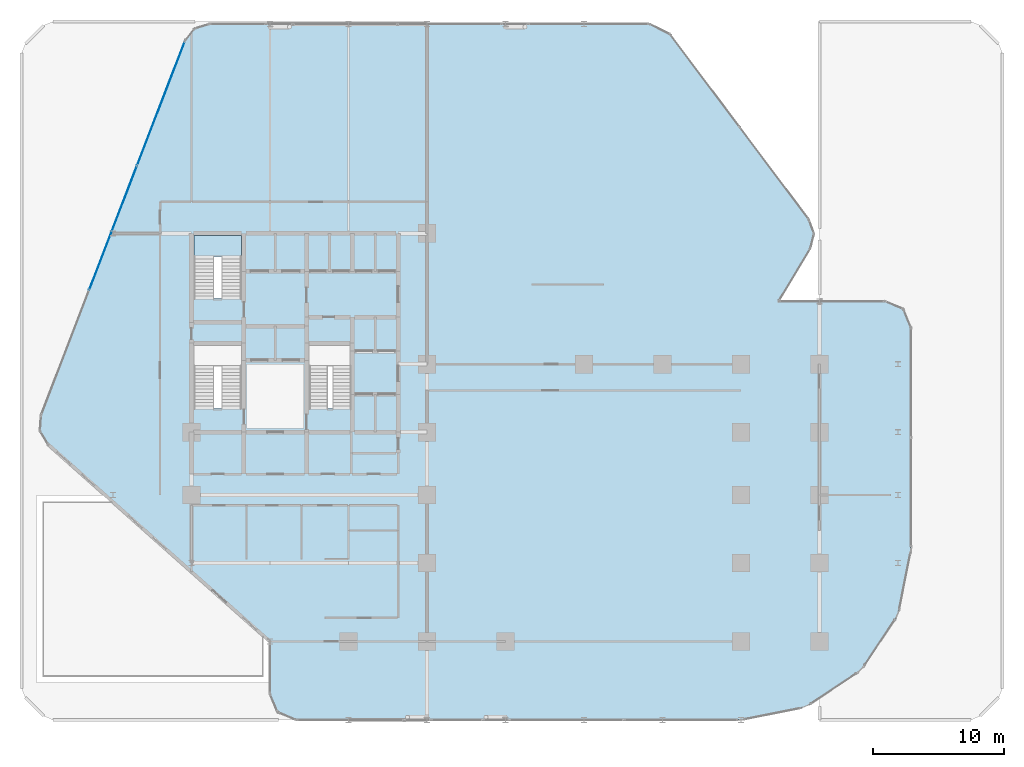
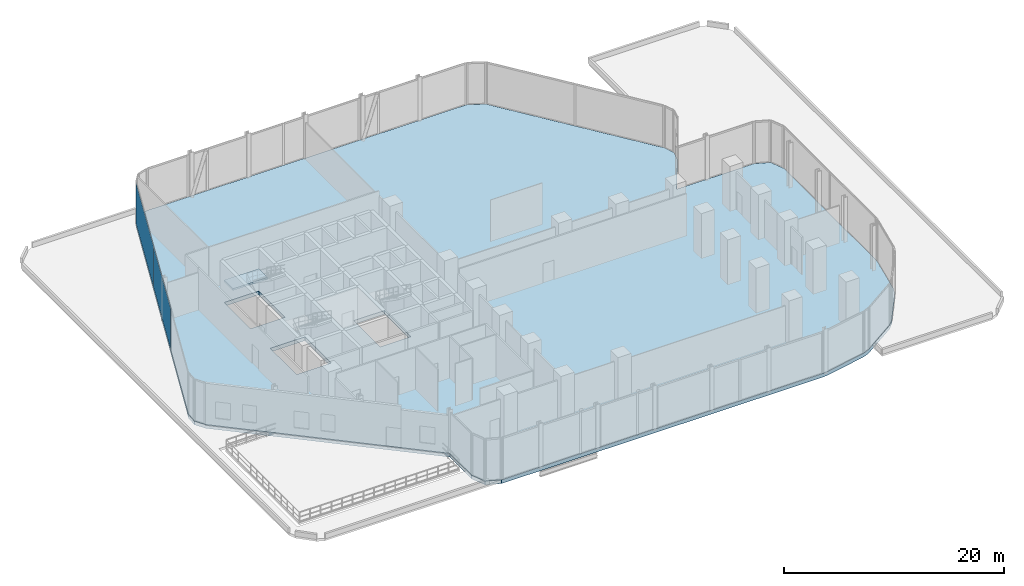
# One storey, part 20 of 29: 2 plates, 2 slabs, 2 elements without a shape of their own.
"""IFC4 building model written with IfcOpenShell, lengths in metres."""

from ifc_helpers import new_model, si_unit, direction, frame, origin, origin_2d, place, context, subcontext, project, spatial, polyline, rectangle, outline, extrude, material, layer, layer_set, type_object, element, aggregate, save


model = new_model("IFC4")

# Units and contexts
model_context = context("Model", 3, precision=1e-05, world=origin(), true_north=direction((0.0, 1.0)))
body_context = subcontext(model_context, "Body", "Model", "MODEL_VIEW")
ifc_project = project(units=[si_unit("LENGTHUNIT", "METRE"), si_unit("AREAUNIT", "SQUARE_METRE"), si_unit("VOLUMEUNIT", "CUBIC_METRE"), si_unit("PLANEANGLEUNIT", "RADIAN"), si_unit("MASSUNIT", "GRAM", prefix="KILO")], contexts=[model_context])

# Site, building, storey
site_placement = place(None, origin())
site = spatial("IfcSite", under=ifc_project, at=site_placement, CompositionType="ELEMENT")
building_placement = place(site_placement, origin())
building = spatial("IfcBuilding", under=site, at=building_placement, Name="Keshet Zoharim Tower", CompositionType="ELEMENT")
storey_placement = place(building_placement, frame((0.0, 0.0, 19.0)))
storey = spatial("IfcBuildingStorey", under=building, at=storey_placement, Name="L03", CompositionType="ELEMENT", Elevation=19.0)

# Curtain wall, plates
ifc_material_1 = material(Name="Aluminium 6063-T6", Category="aluminium")
ifc_layer_1 = layer(ifc_material_1, 0.179931640625)
ifc_layer_set_1 = layer_set([ifc_layer_1], Name="Aluminium 6063-T6")
curtain_wall_type = type_object("IfcCurtainWallType", Name="CW-SYS-01", PredefinedType="NOTDEFINED", material=ifc_layer_set_1)
curtain_wall_placement = place(storey_placement, origin())
curtain_wall = element("IfcCurtainWall", 1, at=curtain_wall_placement, inside=storey, type_object=curtain_wall_type, Name="L03 Unitised Curtain Wall 03", PredefinedType="NOTDEFINED")
ifc_material_2 = material(Name="Insulated Low-E Clear Glass", Category="glass")
ifc_layer_2 = layer(ifc_material_2, 0.035888671875)
ifc_layer_set_2 = layer_set([ifc_layer_2], Name="Insulated Low-E Clear Glass")
plate_type = type_object("IfcPlateType", Name="CWP-01", PredefinedType="CURTAIN_PANEL", material=ifc_layer_set_2)
plate_1_placement = place(storey_placement, frame((9.001953125, 38.305419921875, 0.070068359375), z_axis=(0.0, 0.0, 1.0), x_axis=(0.358990003907, 0.933341404361, 0.0)))
plate_1 = element("IfcPlate", 2, at=plate_1_placement, type_object=plate_type, Name="CW-01 panel 2.1", PredefinedType="CURTAIN_PANEL", context=body_context, shape_type="SweptSolid", body=[
    extrude(rectangle(XDim=10.153076171875, YDim=0.035888671875, at=origin_2d()), origin(), (0.0, 0.0, 1.0), 4.544921875),
])
plate_2_placement = place(storey_placement, frame((12.665771484375, 47.830810546875, 0.070068359375), z_axis=(0.0, 0.0, 1.0), x_axis=(0.358990003907, 0.933341404361, 0.0)))
plate_2 = element("IfcPlate", 3, at=plate_2_placement, type_object=plate_type, Name="CW-01 panel 3.1", PredefinedType="CURTAIN_PANEL", context=body_context, shape_type="SweptSolid", body=[
    extrude(rectangle(XDim=10.1181640625, YDim=0.035888671875, at=origin_2d()), origin(), (0.0, 0.0, 1.0), 4.544921875),
])
aggregate(curtain_wall, [plate_1, plate_2])

# Stair, slab
ifc_material_3 = material(Name="Concrete C50/60", Category="concrete")
stair_type = type_object("IfcStairType", Name="STR-EXIT-135", PredefinedType="HALF_TURN_STAIR", material=ifc_material_3)
stair_placement = place(storey_placement, origin())
stair = element("IfcStair", 4, at=stair_placement, inside=storey, type_object=stair_type, Name="L03 Enclosed Exit Stair ST-02", PredefinedType="HALF_TURN_STAIR")
ifc_layer_3 = layer(ifc_material_3, 0.199951171875)
ifc_layer_set_3 = layer_set([ifc_layer_3], Name="Concrete C50/60")
slab_type_1 = type_object("IfcSlabType", Name="SLB-LND-200", PredefinedType="LANDING", material=ifc_layer_set_3)
slab_1_placement = place(storey_placement, frame((0.0, 0.0, 2.300048828125)))
slab_1 = element("IfcSlab", 5, at=slab_1_placement, type_object=slab_type_1, Name="ST-02 landing 1", PredefinedType="LANDING", context=body_context, shape_type="SweptSolid", body=[
    extrude(outline(polyline([(15.179931640625, 36.114013671875), (18.820068359375, 36.114013671875), (18.820068359375, 37.719970703125), (15.179931640625, 37.719970703125), (15.179931640625, 36.114013671875)])), origin(), (0.0, 0.0, 1.0), 0.199951171875),
])
aggregate(stair, [slab_1])

# Slab
ifc_material_4 = material(Name="Concrete C60/75", Category="concrete")
ifc_layer_4 = layer(ifc_material_4, 0.419921875)
ifc_layer_set_4 = layer_set([ifc_layer_4], Name="Concrete C60/75")
slab_type_2 = type_object("IfcSlabType", Name="SLB-XFER-350", PredefinedType="FLOOR", material=ifc_layer_set_4)
slab_2_placement = place(storey_placement, frame((0.0, 0.0, -0.419921875)))
element("IfcSlab", 6, at=slab_2_placement, inside=storey, type_object=slab_type_2, Name="L03 Structural Floor Slab 1", PredefinedType="FLOOR", context=body_context, shape_type="SweptSolid", body=[
    extrude(outline(polyline([(21.0, 6.699951171875), (4.034912109375, 21.780029296875), (3.419921875, 22.802001953125), (3.4970703125, 23.992919921875), (14.507080078125, 52.617919921875), (15.240966796875, 53.549072265625), (16.3740234375, 53.89990234375), (50.0, 53.89990234375), (51.60009765625, 53.10009765625), (62.193115234375, 38.97607421875), (62.590087890625, 37.87890625), (62.30810546875, 36.7470703125), (59.8798828125, 32.699951171875), (68.0, 32.699951171875), (69.4140625, 32.114013671875), (70.0, 30.699951171875), (70.0, 13.89697265625), (69.9619140625, 13.507080078125), (69.087890625, 9.114990234375), (68.7890625, 8.39404296875), (66.4130859375, 4.837890625), (65.862060546875, 4.287109375), (62.305908203125, 1.910888671875), (61.5849609375, 1.612060546875), (57.193115234375, 0.738037109375), (56.802978515625, 0.699951171875), (23.0, 0.699951171875), (21.5859375, 1.285888671875), (21.0, 2.699951171875), (21.0, 6.699951171875)]), holes=[polyline([(15.179931640625, 24.52001953125), (18.820068359375, 24.52001953125), (18.820068359375, 29.320068359375), (15.179931640625, 29.320068359375), (15.179931640625, 24.52001953125)]), polyline([(15.179931640625, 32.919921875), (18.820068359375, 32.919921875), (18.820068359375, 37.719970703125), (15.179931640625, 37.719970703125), (15.179931640625, 32.919921875)]), polyline([(23.97998046875, 24.52001953125), (27.219970703125, 24.52001953125), (27.219970703125, 29.320068359375), (23.97998046875, 29.320068359375), (23.97998046875, 24.52001953125)])]), origin(), (0.0, 0.0, 1.0), 0.419921875),
])

save(model, "model.ifc")
